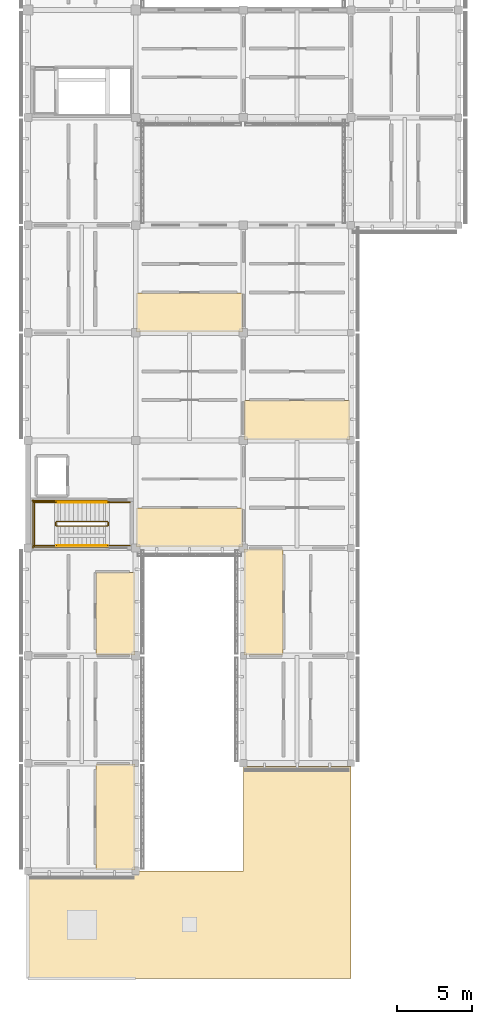
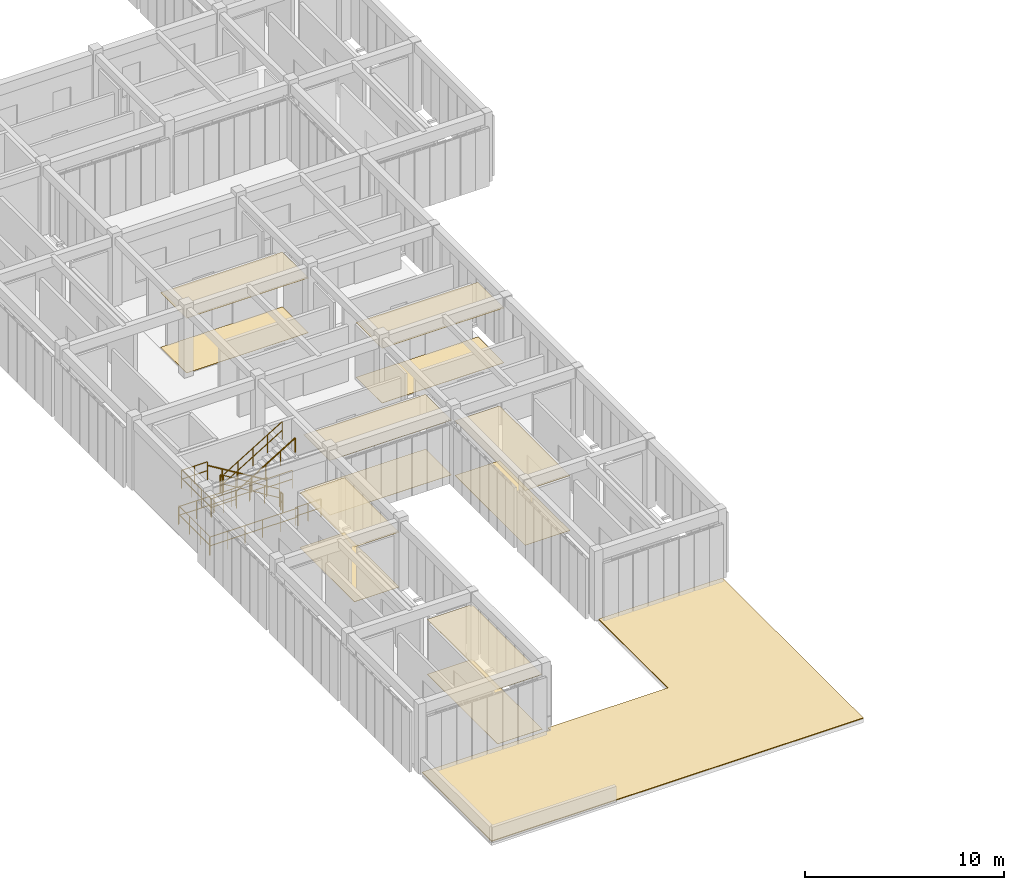
# One storey, part 86 of 91: 14 railings, 13 coverings.
"""IFC4 building model written with IfcOpenShell, lengths in metres."""

from ifc_helpers import new_model, si_unit, direction, frame, origin, origin_2d, place, context, subcontext, project, spatial, polyline, circle, outline, extrude, material, layer, layer_set, type_object, element, save


model = new_model("IFC4")

# Units and contexts
model_context = context("Model", 3, precision=1e-05, world=origin(), true_north=direction((0.0, 1.0)))
body_context = subcontext(model_context, "Body", "Model", "MODEL_VIEW")
ifc_project = project(units=[si_unit("LENGTHUNIT", "METRE"), si_unit("AREAUNIT", "SQUARE_METRE"), si_unit("VOLUMEUNIT", "CUBIC_METRE"), si_unit("PLANEANGLEUNIT", "RADIAN"), si_unit("MASSUNIT", "GRAM", prefix="KILO")], contexts=[model_context])

# Site, building, storey
site_placement = place(None, origin())
site = spatial("IfcSite", under=ifc_project, at=site_placement, CompositionType="ELEMENT")
building_placement = place(site_placement, origin())
building = spatial("IfcBuilding", under=site, at=building_placement, Name="Aldebral Square Health Centre", CompositionType="ELEMENT")
storey_placement = place(building_placement, frame((0.0, 0.0, 9.0)))
storey = spatial("IfcBuildingStorey", under=building, at=storey_placement, Name="L02", CompositionType="ELEMENT", Elevation=9.0)

# Coverings
ifc_material_1 = material(Name="Hygienic acoustic mineral ceiling tile")
ifc_layer_1 = layer(ifc_material_1, 0.02001953125, Name="Hygienic acoustic mineral ceiling tile")
ifc_layer_set_1 = layer_set([ifc_layer_1], Name="Hygienic acoustic mineral ceiling tile")
covering_type_1 = type_object("IfcCoveringType", Name="COV-CLG-AC", PredefinedType="CEILING", material=ifc_layer_set_1)
covering_1_placement = place(storey_placement, frame((0.0, 0.0, 3.360107421875)))
element("IfcCovering", 1, at=covering_1_placement, inside=storey, type_object=covering_type_1, Name="L02 Community Wellness Classroom 1.2E acoustic ceiling", PredefinedType="CEILING", context=body_context, shape_type="SweptSolid", body=[
    extrude(outline(polyline([(4.5400390625, 7.260009765625), (7.139892578125, 7.260009765625), (7.139892578125, 14.340087890625), (4.5400390625, 14.340087890625), (4.5400390625, 7.260009765625)])), origin(), (0.0, 0.0, 1.0), 0.019775390625),
])
covering_2_placement = place(storey_placement, frame((0.0, 0.0, 3.360107421875)))
element("IfcCovering", 2, at=covering_2_placement, inside=storey, type_object=covering_type_1, Name="L02 Community Wellness Classroom 1.4E acoustic ceiling", PredefinedType="CEILING", context=body_context, shape_type="SweptSolid", body=[
    extrude(outline(polyline([(4.5400390625, 21.659912109375), (7.139892578125, 21.659912109375), (7.139892578125, 27.179931640625), (4.5400390625, 27.179931640625), (4.5400390625, 21.659912109375)])), origin(), (0.0, 0.0, 1.0), 0.019775390625),
])
covering_3_placement = place(storey_placement, frame((0.0, 0.0, 3.360107421875)))
element("IfcCovering", 3, at=covering_3_placement, inside=storey, type_object=covering_type_1, Name="L02 Community Wellness Classroom 2.5S acoustic ceiling", PredefinedType="CEILING", context=body_context, shape_type="SweptSolid", body=[
    extrude(outline(polyline([(7.260009765625, 28.860107421875), (14.340087890625, 28.860107421875), (14.340087890625, 31.47998046875), (7.260009765625, 31.47998046875), (7.260009765625, 28.860107421875)])), origin(), (0.0, 0.0, 1.0), 0.019775390625),
])
covering_4_placement = place(storey_placement, frame((0.0, 0.0, 3.360107421875)))
element("IfcCovering", 4, at=covering_4_placement, inside=storey, type_object=covering_type_1, Name="L02 Community Wellness Classroom 2.7S acoustic ceiling", PredefinedType="CEILING", context=body_context, shape_type="SweptSolid", body=[
    extrude(outline(polyline([(7.260009765625, 43.260009765625), (14.340087890625, 43.260009765625), (14.340087890625, 45.8798828125), (7.260009765625, 45.8798828125), (7.260009765625, 43.260009765625)])), origin(), (0.0, 0.0, 1.0), 0.019775390625),
])
covering_5_placement = place(storey_placement, frame((0.0, 0.0, 3.360107421875)))
element("IfcCovering", 5, at=covering_5_placement, inside=storey, type_object=covering_type_1, Name="L02 Community Wellness Classroom 3.4W acoustic ceiling", PredefinedType="CEILING", context=body_context, shape_type="SweptSolid", body=[
    extrude(outline(polyline([(14.4599609375, 21.659912109375), (17.06005859375, 21.659912109375), (17.06005859375, 28.739990234375), (14.4599609375, 28.739990234375), (14.4599609375, 21.659912109375)])), origin(), (0.0, 0.0, 1.0), 0.019775390625),
])
covering_6_placement = place(storey_placement, frame((0.0, 0.0, 3.360107421875)))
element("IfcCovering", 6, at=covering_6_placement, inside=storey, type_object=covering_type_1, Name="L02 Community Wellness Classroom 3.6S acoustic ceiling", PredefinedType="CEILING", context=body_context, shape_type="SweptSolid", body=[
    extrude(outline(polyline([(14.4599609375, 36.06005859375), (21.5400390625, 36.06005859375), (21.5400390625, 38.679931640625), (14.4599609375, 38.679931640625), (14.4599609375, 36.06005859375)])), origin(), (0.0, 0.0, 1.0), 0.019775390625),
])
ifc_material_2 = material(Name="Antimicrobial clinical vinyl flooring")
ifc_layer_2 = layer(ifc_material_2, 0.014892578125, Name="Antimicrobial clinical vinyl flooring")
ifc_layer_set_2 = layer_set([ifc_layer_2], Name="Antimicrobial clinical vinyl flooring")
covering_type_2 = type_object("IfcCoveringType", Name="COV-FLR-VN", PredefinedType="FLOORING", material=ifc_layer_set_2)
covering_7_placement = place(storey_placement, origin())
element("IfcCovering", 7, at=covering_7_placement, inside=storey, type_object=covering_type_2, Name="L02 Community Wellness Classroom 1.2E clinical flooring", PredefinedType="FLOORING", context=body_context, shape_type="SweptSolid", body=[
    extrude(outline(polyline([(4.5400390625, 7.260009765625), (7.139892578125, 7.260009765625), (7.139892578125, 14.340087890625), (4.5400390625, 14.340087890625), (4.5400390625, 7.260009765625)])), origin(), (0.0, 0.0, 1.0), 0.014892578125),
])
covering_8_placement = place(storey_placement, origin())
element("IfcCovering", 8, at=covering_8_placement, inside=storey, type_object=covering_type_2, Name="L02 Community Wellness Classroom 1.4E clinical flooring", PredefinedType="FLOORING", context=body_context, shape_type="SweptSolid", body=[
    extrude(outline(polyline([(4.5400390625, 21.659912109375), (7.139892578125, 21.659912109375), (7.139892578125, 27.179931640625), (4.5400390625, 27.179931640625), (4.5400390625, 21.659912109375)])), origin(), (0.0, 0.0, 1.0), 0.014892578125),
])
covering_9_placement = place(storey_placement, origin())
element("IfcCovering", 9, at=covering_9_placement, inside=storey, type_object=covering_type_2, Name="L02 Community Wellness Classroom 2.5S clinical flooring", PredefinedType="FLOORING", context=body_context, shape_type="SweptSolid", body=[
    extrude(outline(polyline([(7.260009765625, 28.860107421875), (14.340087890625, 28.860107421875), (14.340087890625, 31.47998046875), (7.260009765625, 31.47998046875), (7.260009765625, 28.860107421875)])), origin(), (0.0, 0.0, 1.0), 0.014892578125),
])
covering_10_placement = place(storey_placement, origin())
element("IfcCovering", 10, at=covering_10_placement, inside=storey, type_object=covering_type_2, Name="L02 Community Wellness Classroom 2.7S clinical flooring", PredefinedType="FLOORING", context=body_context, shape_type="SweptSolid", body=[
    extrude(outline(polyline([(7.260009765625, 43.260009765625), (14.340087890625, 43.260009765625), (14.340087890625, 45.8798828125), (7.260009765625, 45.8798828125), (7.260009765625, 43.260009765625)])), origin(), (0.0, 0.0, 1.0), 0.014892578125),
])
covering_11_placement = place(storey_placement, origin())
element("IfcCovering", 11, at=covering_11_placement, inside=storey, type_object=covering_type_2, Name="L02 Community Wellness Classroom 3.4W clinical flooring", PredefinedType="FLOORING", context=body_context, shape_type="SweptSolid", body=[
    extrude(outline(polyline([(14.4599609375, 21.659912109375), (17.06005859375, 21.659912109375), (17.06005859375, 28.739990234375), (14.4599609375, 28.739990234375), (14.4599609375, 21.659912109375)])), origin(), (0.0, 0.0, 1.0), 0.014892578125),
])
covering_12_placement = place(storey_placement, origin())
element("IfcCovering", 12, at=covering_12_placement, inside=storey, type_object=covering_type_2, Name="L02 Community Wellness Classroom 3.6S clinical flooring", PredefinedType="FLOORING", context=body_context, shape_type="SweptSolid", body=[
    extrude(outline(polyline([(14.4599609375, 36.06005859375), (21.5400390625, 36.06005859375), (21.5400390625, 38.679931640625), (14.4599609375, 38.679931640625), (14.4599609375, 36.06005859375)])), origin(), (0.0, 0.0, 1.0), 0.014892578125),
])
ifc_material_3 = material(Name="Reflective insulated membrane roofing")
ifc_layer_3 = layer(ifc_material_3, 0.050048828125, Name="Reflective insulated membrane roofing")
ifc_layer_set_3 = layer_set([ifc_layer_3], Name="Reflective insulated membrane roofing")
covering_type_3 = type_object("IfcCoveringType", Name="COV-RF-50", PredefinedType="ROOFING", material=ifc_layer_set_3)
covering_13_placement = place(storey_placement, origin())
element("IfcCovering", 13, at=covering_13_placement, inside=storey, type_object=covering_type_3, Name="L01 V6 roof slab 1 insulated roof membrane", PredefinedType="ROOFING", context=body_context, shape_type="SweptSolid", body=[
    extrude(outline(polyline([(14.39990234375, 7.199951171875), (14.39990234375, 14.179931640625), (21.60009765625, 14.179931640625), (21.60009765625, 7.199951171875), (21.60009765625, 0.0), (14.39990234375, 0.0), (7.199951171875, 0.0), (0.0, 0.0), (0.0, 6.97998046875), (7.419921875, 6.97998046875), (7.419921875, 7.199951171875), (14.39990234375, 7.199951171875)])), origin(), (0.0, 0.0, 1.0), 0.050048828125),
])

# Railings
ifc_material_4 = material(Name="Painted steel S355JR stair guard", Category="steel")
railing_type_1 = type_object("IfcRailingType", Name="RL-ST-GRD", PredefinedType="GUARDRAIL", material=ifc_material_4)
railing_1_placement = place(storey_placement, frame((5.320068359375, 30.570068359375, 0.173095703125)))
element("IfcRailing", 14, at=railing_1_placement, inside=storey, type_object=railing_type_1, Name="L02 ST-05 stair guard 1", PredefinedType="GUARDRAIL", context=body_context, shape_type="SweptSolid", body=[
    extrude(circle(Radius=0.02392578125, at=origin_2d()), frame((0.0, 0.0, 1.09619140625), z_axis=(-0.854745945586, 0.0, 0.519046595696), x_axis=(0.0, -1.0, 0.0)), (0.0, 0.0, 1.0), 4.00146484375),
    extrude(circle(Radius=0.02392578125, at=origin_2d()), frame((0.0, 0.0, 0.56005859375), z_axis=(-0.854745945586, 0.0, 0.519046595696), x_axis=(0.0, -1.0, 0.0)), (0.0, 0.0, 1.0), 4.00146484375),
    extrude(circle(Radius=0.02099609375, at=origin_2d()), origin(), (0.0, 0.0, 1.0), 1.072021484375),
    extrude(circle(Radius=0.02099609375, at=origin_2d()), frame((-0.85498046875, 0.0, 0.519287109375)), (0.0, 0.0, 1.0), 1.072021484375),
    extrude(circle(Radius=0.02099609375, at=origin_2d()), frame((-1.7099609375, 0.0, 1.03857421875)), (0.0, 0.0, 1.0), 1.072021484375),
    extrude(circle(Radius=0.02099609375, at=origin_2d()), frame((-2.565185546875, 0.0, 1.5576171875)), (0.0, 0.0, 1.0), 1.072021484375),
    extrude(circle(Radius=0.02099609375, at=origin_2d()), frame((-3.420166015625, 0.0, 2.076904296875)), (0.0, 0.0, 1.0), 1.072021484375),
])
railing_2_placement = place(storey_placement, frame((1.85009765625, 30.52001953125, 2.25)))
element("IfcRailing", 15, at=railing_2_placement, inside=storey, type_object=railing_type_1, Name="L02 ST-05 stair guard 2", PredefinedType="GUARDRAIL", context=body_context, shape_type="SweptSolid", body=[
    extrude(circle(Radius=0.02392578125, at=origin_2d()), frame((0.0, 0.0, 1.09619140625), z_axis=(0.0, -1.0, 0.0), x_axis=(1.0, 0.0, 0.0)), (0.0, 0.0, 1.0), 0.199951171875),
    extrude(circle(Radius=0.02392578125, at=origin_2d()), frame((0.0, 0.0, 0.56005859375), z_axis=(0.0, -1.0, 0.0), x_axis=(1.0, 0.0, 0.0)), (0.0, 0.0, 1.0), 0.199951171875),
    extrude(circle(Radius=0.02099609375, at=origin_2d()), origin(), (0.0, 0.0, 1.0), 1.072021484375),
    extrude(circle(Radius=0.02099609375, at=origin_2d()), frame((0.0, -0.199951171875, 0.0)), (0.0, 0.0, 1.0), 1.072021484375),
])
for number, where, name in (
    (16, (1.89990234375, 31.8701171875, 2.25), "L02 ST-05 stair guard 3"),
    (17, (1.89990234375, 28.969970703125, 2.25), "L02 ST-05 stair guard 4"),
):
    element("IfcRailing", number, at=place(storey_placement, frame(where)), inside=storey, type_object=railing_type_1, Name=name, PredefinedType="GUARDRAIL", context=body_context, shape_type="SweptSolid", body=[
        extrude(circle(Radius=0.02392578125, at=origin_2d()), frame((0.0, 0.0, 1.09619140625), z_axis=(-1.0, 0.0, 0.0), x_axis=(0.0, -1.0, 0.0)), (0.0, 0.0, 1.0), 1.52001953125),
        extrude(circle(Radius=0.02392578125, at=origin_2d()), frame((0.0, 0.0, 0.56005859375), z_axis=(-1.0, 0.0, 0.0), x_axis=(0.0, -1.0, 0.0)), (0.0, 0.0, 1.0), 1.52001953125),
        extrude(circle(Radius=0.02099609375, at=origin_2d()), origin(), (0.0, 0.0, 1.0), 1.072021484375),
        extrude(circle(Radius=0.02099609375, at=origin_2d()), frame((-0.760009765625, 0.0, 0.0)), (0.0, 0.0, 1.0), 1.072021484375),
        extrude(circle(Radius=0.02099609375, at=origin_2d()), frame((-1.52001953125, 0.0, 0.0)), (0.0, 0.0, 1.0), 1.072021484375),
    ])
railing_3_placement = place(storey_placement, frame((0.429931640625, 31.919921875, 2.25)))
element("IfcRailing", 18, at=railing_3_placement, inside=storey, type_object=railing_type_1, Name="L02 ST-05 stair guard 5", PredefinedType="GUARDRAIL", context=body_context, shape_type="SweptSolid", body=[
    extrude(circle(Radius=0.02392578125, at=origin_2d()), frame((0.0, 0.0, 1.09619140625), z_axis=(0.0, -1.0, 0.0), x_axis=(1.0, 0.0, 0.0)), (0.0, 0.0, 1.0), 3.0),
    extrude(circle(Radius=0.02392578125, at=origin_2d()), frame((0.0, 0.0, 0.56005859375), z_axis=(0.0, -1.0, 0.0), x_axis=(1.0, 0.0, 0.0)), (0.0, 0.0, 1.0), 3.0),
    extrude(circle(Radius=0.02099609375, at=origin_2d()), origin(), (0.0, 0.0, 1.0), 1.072021484375),
    extrude(circle(Radius=0.02099609375, at=origin_2d()), frame((0.0, -1.0, 0.0)), (0.0, 0.0, 1.0), 1.072021484375),
    extrude(circle(Radius=0.02099609375, at=origin_2d()), frame((0.0, -2.0, 0.0)), (0.0, 0.0, 1.0), 1.072021484375),
    extrude(circle(Radius=0.02099609375, at=origin_2d()), frame((0.0, -3.0, 0.0)), (0.0, 0.0, 1.0), 1.072021484375),
])
railing_4_placement = place(storey_placement, frame((1.89990234375, 30.27001953125, 2.423095703125)))
element("IfcRailing", 19, at=railing_4_placement, inside=storey, type_object=railing_type_1, Name="L02 ST-05 stair guard 6", PredefinedType="GUARDRAIL", context=body_context, shape_type="SweptSolid", body=[
    extrude(circle(Radius=0.02392578125, at=origin_2d()), frame((0.0, 0.0, 1.09619140625), z_axis=(0.854745945586, 0.0, 0.519046595696), x_axis=(0.0, 1.0, 0.0)), (0.0, 0.0, 1.0), 4.00146484375),
    extrude(circle(Radius=0.02392578125, at=origin_2d()), frame((0.0, 0.0, 0.56005859375), z_axis=(0.854745945586, 0.0, 0.519046595696), x_axis=(0.0, 1.0, 0.0)), (0.0, 0.0, 1.0), 4.00146484375),
    extrude(circle(Radius=0.02099609375, at=origin_2d()), origin(), (0.0, 0.0, 1.0), 1.072021484375),
    extrude(circle(Radius=0.02099609375, at=origin_2d()), frame((0.85498046875, 0.0, 0.519287109375)), (0.0, 0.0, 1.0), 1.072021484375),
    extrude(circle(Radius=0.02099609375, at=origin_2d()), frame((1.7099609375, 0.0, 1.03857421875)), (0.0, 0.0, 1.0), 1.072021484375),
    extrude(circle(Radius=0.02099609375, at=origin_2d()), frame((2.565185546875, 0.0, 1.5576171875)), (0.0, 0.0, 1.0), 1.072021484375),
    extrude(circle(Radius=0.02099609375, at=origin_2d()), frame((3.420166015625, 0.0, 2.076904296875)), (0.0, 0.0, 1.0), 1.072021484375),
])
railing_5_placement = place(storey_placement, frame((5.3701171875, 30.52001953125, 0.0)))
element("IfcRailing", 20, at=railing_5_placement, inside=storey, type_object=railing_type_1, Name="L02 ST-05 stair guard 7", PredefinedType="GUARDRAIL", context=body_context, shape_type="SweptSolid", body=[
    extrude(circle(Radius=0.02392578125, at=origin_2d()), frame((0.0, 0.0, 1.09619140625), z_axis=(0.0, -1.0, 0.0), x_axis=(1.0, 0.0, 0.0)), (0.0, 0.0, 1.0), 0.199951171875),
    extrude(circle(Radius=0.02392578125, at=origin_2d()), frame((0.0, 0.0, 0.56005859375), z_axis=(0.0, -1.0, 0.0), x_axis=(1.0, 0.0, 0.0)), (0.0, 0.0, 1.0), 0.199951171875),
    extrude(circle(Radius=0.02099609375, at=origin_2d()), origin(), (0.0, 0.0, 1.0), 1.072021484375),
    extrude(circle(Radius=0.02099609375, at=origin_2d()), frame((0.0, -0.199951171875, 0.0)), (0.0, 0.0, 1.0), 1.072021484375),
])
for number, where, name in (
    (21, (6.820068359375, 31.8701171875, 0.0), "L02 ST-05 stair guard 8"),
    (22, (6.820068359375, 28.969970703125, 0.0), "L02 ST-05 stair guard 9"),
):
    element("IfcRailing", number, at=place(storey_placement, frame(where)), inside=storey, type_object=railing_type_1, Name=name, PredefinedType="GUARDRAIL", context=body_context, shape_type="SweptSolid", body=[
        extrude(circle(Radius=0.02392578125, at=origin_2d()), frame((0.0, 0.0, 1.09619140625), z_axis=(-1.0, 0.0, 0.0), x_axis=(0.0, -1.0, 0.0)), (0.0, 0.0, 1.0), 1.5),
        extrude(circle(Radius=0.02392578125, at=origin_2d()), frame((0.0, 0.0, 0.56005859375), z_axis=(-1.0, 0.0, 0.0), x_axis=(0.0, -1.0, 0.0)), (0.0, 0.0, 1.0), 1.5),
        extrude(circle(Radius=0.02099609375, at=origin_2d()), origin(), (0.0, 0.0, 1.0), 1.072021484375),
        extrude(circle(Radius=0.02099609375, at=origin_2d()), frame((-0.75, 0.0, 0.0)), (0.0, 0.0, 1.0), 1.072021484375),
        extrude(circle(Radius=0.02099609375, at=origin_2d()), frame((-1.5, 0.0, 0.0)), (0.0, 0.0, 1.0), 1.072021484375),
    ])
for number, where, name in (
    (23, (5.419921875, 31.969970703125, 0.0), "L02 ST-05 stair guard 10"),
    (24, (5.419921875, 28.8701171875, 0.0), "L02 ST-05 stair guard 11"),
):
    element("IfcRailing", number, at=place(storey_placement, frame(where)), inside=storey, type_object=railing_type_1, Name=name, PredefinedType="GUARDRAIL", context=body_context, shape_type="SweptSolid", body=[
        extrude(circle(Radius=0.02392578125, at=origin_2d()), frame((0.0, 0.0, 1.09619140625), z_axis=(-1.0, 0.0, 0.0), x_axis=(0.0, -1.0, 0.0)), (0.0, 0.0, 1.0), 5.139892578125),
        extrude(circle(Radius=0.02392578125, at=origin_2d()), frame((0.0, 0.0, 0.56005859375), z_axis=(-1.0, 0.0, 0.0), x_axis=(0.0, -1.0, 0.0)), (0.0, 0.0, 1.0), 5.139892578125),
        extrude(circle(Radius=0.02099609375, at=origin_2d()), origin(), (0.0, 0.0, 1.0), 1.072021484375),
        extrude(circle(Radius=0.02099609375, at=origin_2d()), frame((-1.028076171875, 0.0, 0.0)), (0.0, 0.0, 1.0), 1.072021484375),
        extrude(circle(Radius=0.02099609375, at=origin_2d()), frame((-2.055908203125, 0.0, 0.0)), (0.0, 0.0, 1.0), 1.072021484375),
        extrude(circle(Radius=0.02099609375, at=origin_2d()), frame((-3.083984375, 0.0, 0.0)), (0.0, 0.0, 1.0), 1.072021484375),
        extrude(circle(Radius=0.02099609375, at=origin_2d()), frame((-4.11181640625, 0.0, 0.0)), (0.0, 0.0, 1.0), 1.072021484375),
        extrude(circle(Radius=0.02099609375, at=origin_2d()), frame((-5.139892578125, 0.0, 0.0)), (0.0, 0.0, 1.0), 1.072021484375),
    ])
railing_6_placement = place(storey_placement, frame((0.330078125, 32.02001953125, 0.0)))
element("IfcRailing", 25, at=railing_6_placement, inside=storey, type_object=railing_type_1, Name="L02 ST-05 stair guard 12", PredefinedType="GUARDRAIL", context=body_context, shape_type="SweptSolid", body=[
    extrude(circle(Radius=0.02392578125, at=origin_2d()), frame((0.0, 0.0, 1.09619140625), z_axis=(0.0, -1.0, 0.0), x_axis=(1.0, 0.0, 0.0)), (0.0, 0.0, 1.0), 3.199951171875),
    extrude(circle(Radius=0.02392578125, at=origin_2d()), frame((0.0, 0.0, 0.56005859375), z_axis=(0.0, -1.0, 0.0), x_axis=(1.0, 0.0, 0.0)), (0.0, 0.0, 1.0), 3.199951171875),
    extrude(circle(Radius=0.02099609375, at=origin_2d()), origin(), (0.0, 0.0, 1.0), 1.072021484375),
    extrude(circle(Radius=0.02099609375, at=origin_2d()), frame((0.0, -1.066650390625, 0.0)), (0.0, 0.0, 1.0), 1.072021484375),
    extrude(circle(Radius=0.02099609375, at=origin_2d()), frame((0.0, -2.13330078125, 0.0)), (0.0, 0.0, 1.0), 1.072021484375),
    extrude(circle(Radius=0.02099609375, at=origin_2d()), frame((0.0, -3.199951171875, 0.0)), (0.0, 0.0, 1.0), 1.072021484375),
])
ifc_material_5 = material(Name="Brushed stainless steel handrail", Category="steel")
railing_type_2 = type_object("IfcRailingType", Name="RL-ST-HND", PredefinedType="HANDRAIL", material=ifc_material_5)
railing_7_placement = place(storey_placement, frame((5.320068359375, 31.8701171875, 0.173095703125)))
element("IfcRailing", 26, at=railing_7_placement, inside=storey, type_object=railing_type_2, Name="L02 ST-05 stair handrail 1", PredefinedType="HANDRAIL", context=body_context, shape_type="SweptSolid", body=[
    extrude(circle(Radius=0.02392578125, at=origin_2d()), frame((0.0, 0.0, 0.8759765625), z_axis=(-0.854745945586, 0.0, 0.519046595696), x_axis=(0.0, -1.0, 0.0)), (0.0, 0.0, 1.0), 4.00146484375),
    extrude(circle(Radius=0.02099609375, at=origin_2d()), origin(), (0.0, 0.0, 1.0), 0.851806640625),
    extrude(circle(Radius=0.02099609375, at=origin_2d()), frame((-0.85498046875, 0.0, 0.519287109375)), (0.0, 0.0, 1.0), 0.851806640625),
    extrude(circle(Radius=0.02099609375, at=origin_2d()), frame((-1.7099609375, 0.0, 1.03857421875)), (0.0, 0.0, 1.0), 0.851806640625),
    extrude(circle(Radius=0.02099609375, at=origin_2d()), frame((-2.565185546875, 0.0, 1.5576171875)), (0.0, 0.0, 1.0), 0.851806640625),
    extrude(circle(Radius=0.02099609375, at=origin_2d()), frame((-3.420166015625, 0.0, 2.076904296875)), (0.0, 0.0, 1.0), 0.851806640625),
])
railing_8_placement = place(storey_placement, frame((1.89990234375, 28.969970703125, 2.423095703125)))
element("IfcRailing", 27, at=railing_8_placement, inside=storey, type_object=railing_type_2, Name="L02 ST-05 stair handrail 2", PredefinedType="HANDRAIL", context=body_context, shape_type="SweptSolid", body=[
    extrude(circle(Radius=0.02392578125, at=origin_2d()), frame((0.0, 0.0, 0.8759765625), z_axis=(0.854745945586, 0.0, 0.519046595696), x_axis=(0.0, 1.0, 0.0)), (0.0, 0.0, 1.0), 4.00146484375),
    extrude(circle(Radius=0.02099609375, at=origin_2d()), origin(), (0.0, 0.0, 1.0), 0.851806640625),
    extrude(circle(Radius=0.02099609375, at=origin_2d()), frame((0.85498046875, 0.0, 0.519287109375)), (0.0, 0.0, 1.0), 0.851806640625),
    extrude(circle(Radius=0.02099609375, at=origin_2d()), frame((1.7099609375, 0.0, 1.03857421875)), (0.0, 0.0, 1.0), 0.851806640625),
    extrude(circle(Radius=0.02099609375, at=origin_2d()), frame((2.565185546875, 0.0, 1.5576171875)), (0.0, 0.0, 1.0), 0.851806640625),
    extrude(circle(Radius=0.02099609375, at=origin_2d()), frame((3.420166015625, 0.0, 2.076904296875)), (0.0, 0.0, 1.0), 0.851806640625),
])

save(model, "model.ifc")
